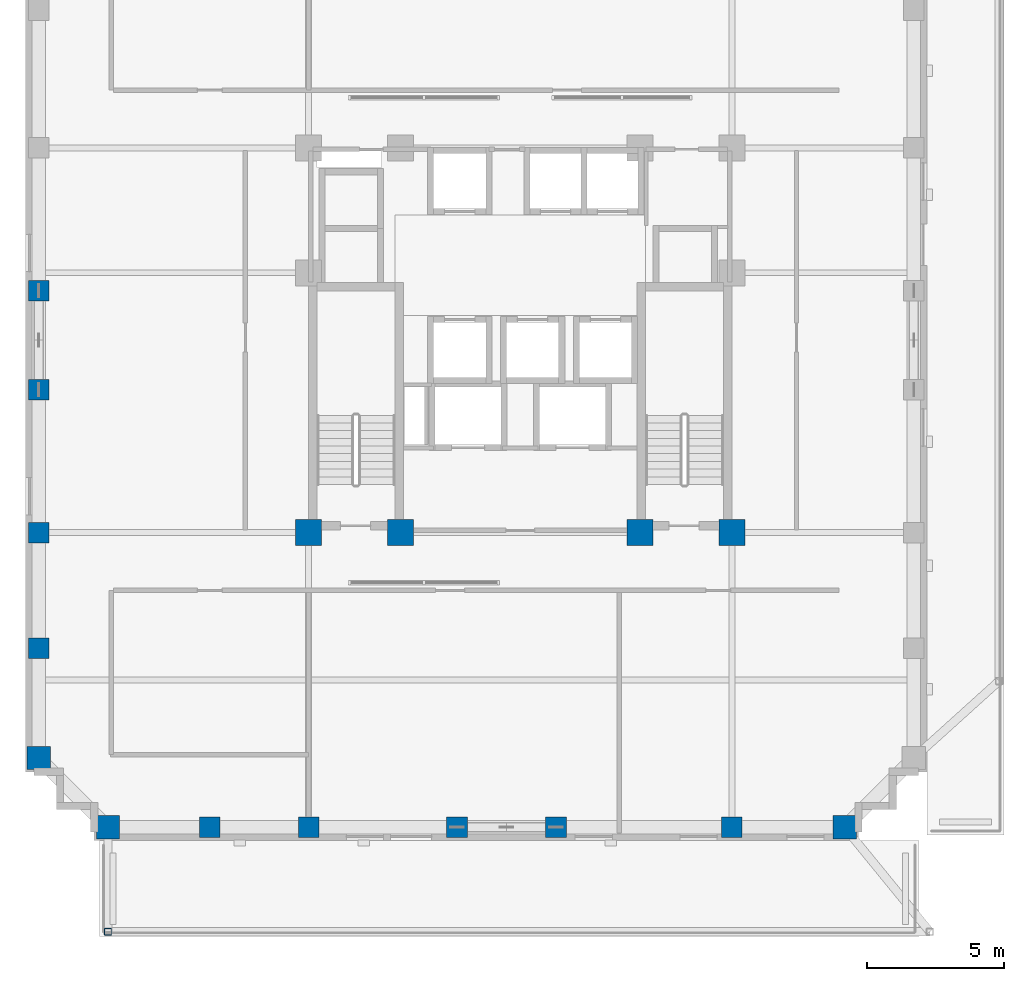
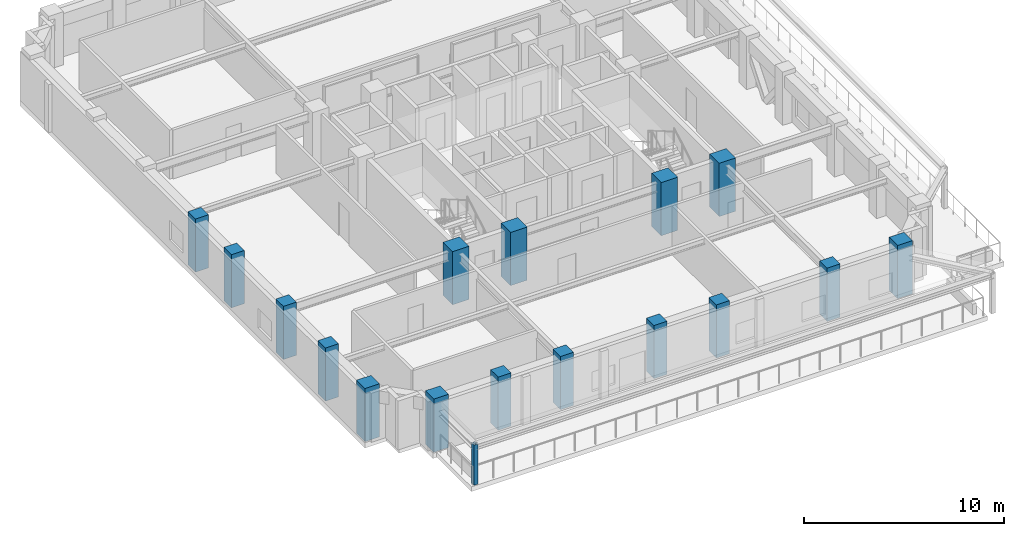
# One storey, part 1 of 15: 17 columns.
"""IFC4 building model written with IfcOpenShell, lengths in metres."""

from ifc_helpers import new_model, si_unit, derived_unit, direction, frame, origin, origin_2d, place, context, subcontext, project, spatial, rectangle, hollow_rectangle, extrude, material, material_profile, profile_set, type_object, element, save


model = new_model("IFC4")

# Units and contexts
model_context = context("Model", 3, precision=1e-05, world=origin(), true_north=direction((0.0, 1.0)))
body_context = subcontext(model_context, "Body", "Model", "MODEL_VIEW")
ifc_project = project(units=[si_unit("LENGTHUNIT", "METRE"), si_unit("AREAUNIT", "SQUARE_METRE"), si_unit("VOLUMEUNIT", "CUBIC_METRE"), si_unit("PLANEANGLEUNIT", "RADIAN"), si_unit("MASSUNIT", "GRAM", prefix="KILO"), derived_unit("THERMALTRANSMITTANCEUNIT", [(si_unit("MASSUNIT", "GRAM", prefix="KILO"), 1), (si_unit("TIMEUNIT", "SECOND"), -3), (si_unit("THERMODYNAMICTEMPERATUREUNIT", "KELVIN"), -1)])], contexts=[model_context])

# Site, building, storey
site_placement = place(None, origin())
site = spatial("IfcSite", under=ifc_project, at=site_placement, CompositionType="ELEMENT")
building_placement = place(site_placement, origin())
building = spatial("IfcBuilding", under=site, at=building_placement, Name="Korrvale Station Residences", CompositionType="ELEMENT")
storey_placement = place(building_placement, frame((0.0, 0.0, 124.39990234375)))
storey = spatial("IfcBuildingStorey", under=building, at=storey_placement, Name="L35", CompositionType="ELEMENT", Elevation=124.39990234375)

# Columns
ifc_material_1 = material(Name="Steel S355", Category="steel")
ifc_material_profile_1 = material_profile(ifc_material_1, hollow_rectangle(XDim=0.25390625, YDim=0.25390625, WallThickness=0.0126953125, InnerFilletRadius=0.0126953125, OuterFilletRadius=0.025390625, at=origin_2d()), Name="HSS254x254x13")
ifc_profile_set_1 = profile_set([ifc_material_profile_1], Name="Steel S355")
column_type_1 = type_object("IfcColumnType", Name="COL-C-HSS254x254x13-S355", PredefinedType="COLUMN", material=ifc_profile_set_1)
column_placement = place(storey_placement, frame((10.5, 0.47998046875, 0.0), z_axis=(0.0, 0.0, 1.0), x_axis=(1.0, 0.0, 0.0)))
element("IfcColumn", 1, at=column_placement, inside=storey, type_object=column_type_1, Name="L35 Setback Canopy Frame Post 1", PredefinedType="COLUMN", context=body_context, shape_type="SweptSolid", body=[
    extrude(hollow_rectangle(XDim=0.25390625, YDim=0.25390625, WallThickness=0.0126953125, InnerFilletRadius=0.0126953125, OuterFilletRadius=0.025390625, at=origin_2d()), origin(), (0.0, 0.0, 1.0), 2.4501953125),
])
ifc_material_2 = material(Name="Concrete C60/75", Category="concrete")
ifc_material_profile_2 = material_profile(ifc_material_2, rectangle(XDim=0.75, YDim=0.75, at=origin_2d()), Name="RC750x750")
ifc_profile_set_2 = profile_set([ifc_material_profile_2], Name="Concrete C60/75")
column_type_2 = type_object("IfcColumnType", Name="COL-C-RC750x750-C6075", PredefinedType="COLUMN", material=ifc_profile_set_2)
for number, where, z_axis, x_axis, name in (
    (2, (14.199951171875, 4.280029296875, 0.0), (0.0, 0.0, 1.0), (1.0, 0.0, 0.0), "L35 Bundled-Tube South Column 02"),
    (3, (17.800048828125, 4.280029296875, 0.0), (0.0, 0.0, 1.0), (1.0, 0.0, 0.0), "L35 Bundled-Tube South Column 03"),
    (4, (23.199951171875, 4.280029296875, 0.0), (0.0, 0.0, 1.0), (1.0, 0.0, 0.0), "L35 Bundled-Tube South Column 04"),
    (5, (26.800048828125, 4.280029296875, 0.0), (0.0, 0.0, 1.0), (1.0, 0.0, 0.0), "L35 Bundled-Tube South Column 05"),
    (6, (33.199951171875, 4.280029296875, 0.0), (0.0, 0.0, 1.0), (1.0, 0.0, 0.0), "L35 Bundled-Tube South Column 06"),
    (7, (7.97998046875, 10.800048828125, 0.0), (0.0, 0.0, 1.0), (1.0, 0.0, 0.0), "L35 Bundled-Tube West Column 16"),
    (8, (7.97998046875, 15.0, 0.0), (0.0, 0.0, 1.0), (1.0, 0.0, 0.0), "L35 Bundled-Tube West Column 17"),
    (9, (7.97998046875, 20.199951171875, 0.0), (0.0, 0.0, 1.0), (1.0, 0.0, 0.0), "L35 Bundled-Tube West Column 18"),
    (10, (7.97998046875, 23.800048828125, 0.0), (0.0, 0.0, 1.0), (1.0, 0.0, 0.0), "L35 Bundled-Tube West Column 19"),
):
    element("IfcColumn", number, at=place(storey_placement, frame(where, z_axis=z_axis, x_axis=x_axis)), inside=storey, type_object=column_type_2, Name=name, PredefinedType="COLUMN", context=body_context, shape_type="SweptSolid", body=[
        extrude(rectangle(XDim=0.75, YDim=0.75, at=origin_2d()), origin(), (0.0, 0.0, 1.0), 3.25),
    ])
ifc_material_profile_3 = material_profile(ifc_material_2, rectangle(XDim=0.85009765625, YDim=0.85009765625, at=origin_2d()), Name="RC850x850")
ifc_profile_set_3 = profile_set([ifc_material_profile_3], Name="Concrete C60/75")
column_type_3 = type_object("IfcColumnType", Name="COL-C-RC850x850-C6075", PredefinedType="COLUMN", material=ifc_profile_set_3)
for number, where, z_axis, x_axis, name in (
    (11, (10.5, 4.280029296875, 0.0), (0.0, 0.0, 1.0), (1.0, 0.0, 0.0), "L35 Bundled-Tube South Column 01"),
    (12, (37.300048828125, 4.280029296875, 0.0), (0.0, 0.0, 1.0), (1.0, 0.0, 0.0), "L35 Bundled-Tube South Column 07"),
    (13, (7.97998046875, 6.800048828125, 0.0), (0.0, 0.0, 1.0), (1.0, 0.0, 0.0), "L35 Bundled-Tube West Column 15"),
):
    element("IfcColumn", number, at=place(storey_placement, frame(where, z_axis=z_axis, x_axis=x_axis)), inside=storey, type_object=column_type_3, Name=name, PredefinedType="COLUMN", context=body_context, shape_type="SweptSolid", body=[
        extrude(rectangle(XDim=0.85009765625, YDim=0.85009765625, at=origin_2d()), origin(), (0.0, 0.0, 1.0), 3.25),
    ])
ifc_material_profile_4 = material_profile(ifc_material_2, rectangle(XDim=0.949951171875, YDim=0.949951171875, at=origin_2d()), Name="RC950x950")
ifc_profile_set_4 = profile_set([ifc_material_profile_4], Name="Concrete C60/75")
column_type_4 = type_object("IfcColumnType", Name="COL-C-RC950x950-C6075", PredefinedType="COLUMN", material=ifc_profile_set_4)
for number, where, z_axis, x_axis, name in (
    (14, (17.800048828125, 15.0, 0.0), (0.0, 0.0, 1.0), (1.0, 0.0, 0.0), "L35 Core Column 01"),
    (15, (21.14990234375, 15.0, 0.0), (0.0, 0.0, 1.0), (1.0, 0.0, 0.0), "L35 Core Column 02"),
    (16, (29.85009765625, 15.0, 0.0), (0.0, 0.0, 1.0), (1.0, 0.0, 0.0), "L35 Core Column 03"),
    (17, (33.199951171875, 15.0, 0.0), (0.0, 0.0, 1.0), (1.0, 0.0, 0.0), "L35 Core Column 04"),
):
    element("IfcColumn", number, at=place(storey_placement, frame(where, z_axis=z_axis, x_axis=x_axis)), inside=storey, type_object=column_type_4, Name=name, PredefinedType="COLUMN", context=body_context, shape_type="SweptSolid", body=[
        extrude(rectangle(XDim=0.949951171875, YDim=0.949951171875, at=origin_2d()), origin(), (0.0, 0.0, 1.0), 3.25),
    ])

save(model, "model.ifc")
